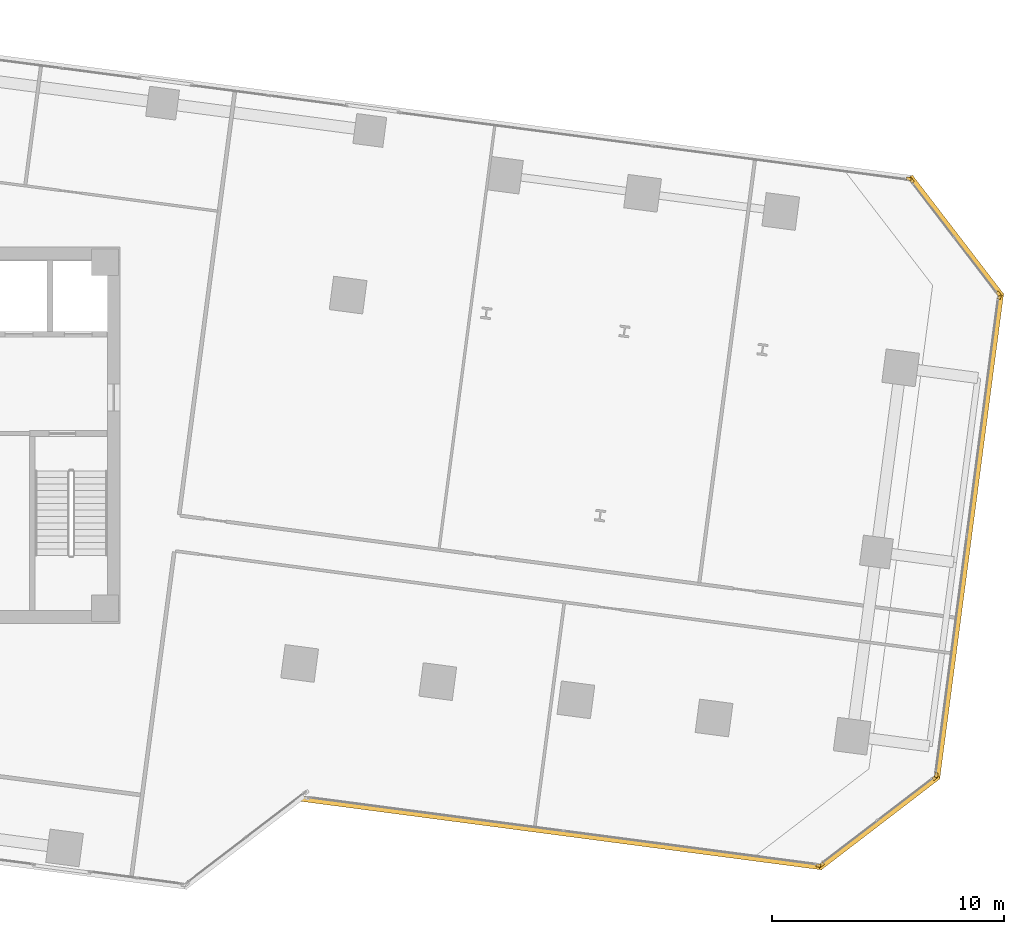
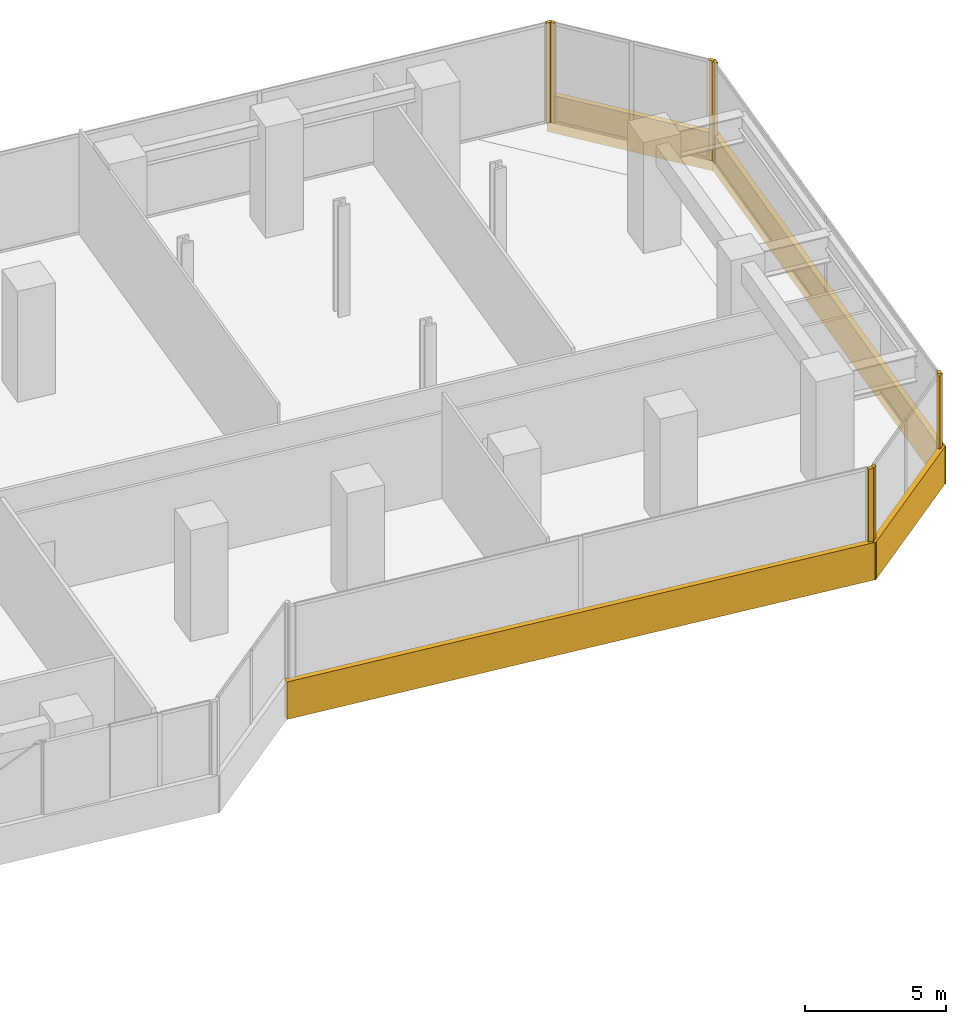
# One storey, part 23 of 24: 12 coverings.
"""IFC4 building model written with IfcOpenShell, lengths in metres."""

from ifc_helpers import new_model, si_unit, direction, frame, origin, origin_2d, place, context, subcontext, project, spatial, rectangle, extrude, source, transform, mapped, material, layer, layer_set, type_object, element, save


model = new_model("IFC4")

# Units and contexts
model_context = context("Model", 3, precision=1e-05, world=origin(), true_north=direction((0.0, 1.0)))
body_context = subcontext(model_context, "Body", "Model", "MODEL_VIEW")
ifc_project = project(units=[si_unit("LENGTHUNIT", "METRE"), si_unit("AREAUNIT", "SQUARE_METRE"), si_unit("VOLUMEUNIT", "CUBIC_METRE"), si_unit("PLANEANGLEUNIT", "RADIAN"), si_unit("MASSUNIT", "GRAM", prefix="KILO")], contexts=[model_context])

# Site, building, storey
site_placement = place(None, origin())
site = spatial("IfcSite", under=ifc_project, at=site_placement, CompositionType="ELEMENT")
building_placement = place(site_placement, origin())
building = spatial("IfcBuilding", under=site, at=building_placement, Name="Torre Montelarca", CompositionType="ELEMENT")
storey_placement = place(building_placement, frame((0.0, 0.0, 61.60009765625)))
storey = spatial("IfcBuildingStorey", under=building, at=storey_placement, Name="L13", CompositionType="ELEMENT", Elevation=61.60009765625)

# Coverings
ifc_material = material(Name="Bush-hammered warm white precast concrete C45/55", Category="concrete")
ifc_layer = layer(ifc_material, 0.139892578125, Name="Bush-hammered warm white precast concrete C45/55", Category="concrete")
ifc_layer_set = layer_set([ifc_layer], Name="Bush-hammered warm white precast concrete C45/55")
covering_type = type_object("IfcCoveringType", Name="COV-TRAY-CLAD", PredefinedType="CLADDING", material=ifc_layer_set)
shared_shape_1 = source(origin(), body_context, "Body", "SweptSolid", [
    extrude(rectangle(XDim=0.199951171875, YDim=0.139892578125, at=origin_2d()), origin(), (0.0, 0.0, 1.0), 4.320068359375),
])
for number, where, z_axis, x_axis, name in (
    (1, (57.17138671875, 13.4755859375, 0.0), (0.0, 0.0, 1.0), (0.991444861374, -0.13052619222, 0.0), "L13 Architectural Column Pier Cladding E04-2"),
    (2, (57.3115234375, 13.512939453125, 0.0), (0.0, 0.0, 1.0), (0.793343777791, 0.608773890899, 0.0), "L13 Architectural Column Pier Cladding E05-1"),
    (3, (62.1767578125, 17.24609375, 0.0), (0.0, 0.0, 1.0), (0.793343777791, 0.608773890899, 0.0), "L13 Architectural Column Pier Cladding E05-2"),
    (4, (62.249267578125, 17.3720703125, 0.0), (0.0, 0.0, 1.0), (0.130524461822, 0.991445089183, 0.0), "L13 Architectural Column Pier Cladding E06-1"),
    (5, (64.9599609375, 37.96240234375, 0.0), (0.0, 0.0, 1.0), (0.130524461822, 0.991445089183, 0.0), "L13 Architectural Column Pier Cladding E06-2"),
    (6, (64.922607421875, 38.102783203125, 0.0), (0.0, 0.0, 1.0), (-0.608764198331, 0.793351215308, 0.0), "L13 Architectural Column Pier Cladding E07-1"),
    (7, (61.189453125, 42.9677734375, 0.0), (0.0, 0.0, 1.0), (-0.608764198331, 0.793351215308, 0.0), "L13 Architectural Column Pier Cladding E07-2"),
    (8, (61.063720703125, 43.040283203125, 0.0), (0.0, 0.0, 1.0), (-0.991444861374, 0.13052619222, 0.0), "L13 Architectural Column Pier Cladding E08-1"),
):
    element("IfcCovering", number, at=place(storey_placement, frame(where, z_axis=z_axis, x_axis=x_axis)), inside=storey, type_object=covering_type, Name=name, PredefinedType="CLADDING", context=body_context, shape_type="MappedRepresentation", body=[
        mapped(shared_shape_1, transform((0.0, 0.0, 0.0), scale=1.0)),
    ])
shared_shape_2 = source(origin(), body_context, "Body", "SweptSolid", [
    extrude(rectangle(XDim=6.48388671875, YDim=0.219970703125, at=origin_2d()), origin(), (0.0, 0.0, 1.0), 1.6201171875),
])
for number, where, z_axis, x_axis, name in (
    (9, (59.78076171875, 15.33203125, -0.4501953125), (0.0, 0.0, 1.0), (0.793350152813, 0.608765582989, 0.0), "L13 Architectural White Spandrel Tray Band TRYBOT-05"),
    (10, (63.103515625, 40.57177734375, -0.4501953125), (0.0, 0.0, 1.0), (-0.608755890343, 0.793357590228, 0.0), "L13 Architectural White Spandrel Tray Band TRYBOT-07"),
):
    element("IfcCovering", number, at=place(storey_placement, frame(where, z_axis=z_axis, x_axis=x_axis)), inside=storey, type_object=covering_type, Name=name, PredefinedType="CLADDING", context=body_context, shape_type="MappedRepresentation", body=[
        mapped(shared_shape_2, transform((0.0, 0.0, 0.0), scale=1.0)),
    ])
shared_shape_3 = source(origin(), body_context, "Body", "SweptSolid", [
    extrude(rectangle(XDim=22.6201171875, YDim=0.219970703125, at=origin_2d()), origin(), (0.0, 0.0, 1.0), 1.6201171875),
])
covering_1_placement = place(storey_placement, frame((46.124755859375, 14.869384765625, -0.4501953125), z_axis=(0.0, 0.0, 1.0), x_axis=(0.991444405745, -0.130529653015, 0.0)))
element("IfcCovering", 11, at=covering_1_placement, inside=storey, type_object=covering_type, Name="L13 Architectural White Spandrel Tray Band TRYBOT-04", PredefinedType="CLADDING", context=body_context, shape_type="MappedRepresentation", body=[
    mapped(shared_shape_3, transform((0.0, 0.0, 0.0), scale=1.0)),
])
shared_shape_4 = source(origin(), body_context, "Body", "SweptSolid", [
    extrude(rectangle(XDim=21.1201171875, YDim=0.219970703125, at=origin_2d()), origin(), (0.0, 0.0, 1.0), 1.6201171875),
])
covering_2_placement = place(storey_placement, frame((63.664306640625, 27.659423828125, -0.4501953125), z_axis=(0.0, 0.0, 1.0), x_axis=(0.130524461822, 0.991445089183, 0.0)))
element("IfcCovering", 12, at=covering_2_placement, inside=storey, type_object=covering_type, Name="L13 Architectural White Spandrel Tray Band TRYBOT-06", PredefinedType="CLADDING", context=body_context, shape_type="MappedRepresentation", body=[
    mapped(shared_shape_4, transform((0.0, 0.0, 0.0), scale=1.0)),
])

save(model, "model.ifc")
